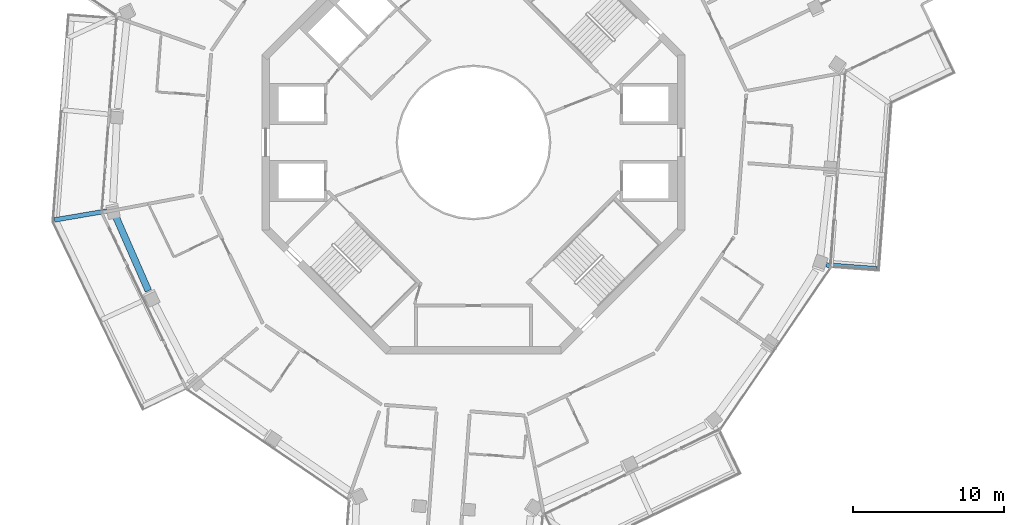
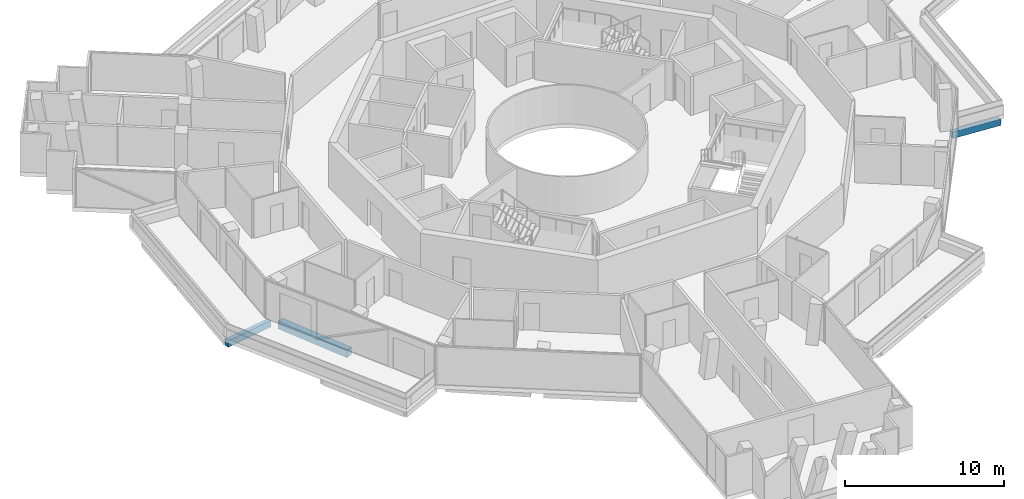
# One storey, part 5 of 23: 3 beams.
"""IFC4 building model written with IfcOpenShell, lengths in metres."""

from ifc_helpers import new_model, si_unit, direction, frame, origin, origin_2d, place, context, subcontext, project, spatial, rectangle, extrude, material, material_profile, profile_set, type_object, element, save


model = new_model("IFC4")

# Units and contexts
model_context = context("Model", 3, precision=1e-05, world=origin(), true_north=direction((0.0, 1.0)))
body_context = subcontext(model_context, "Body", "Model", "MODEL_VIEW")
ifc_project = project(units=[si_unit("LENGTHUNIT", "METRE"), si_unit("AREAUNIT", "SQUARE_METRE"), si_unit("VOLUMEUNIT", "CUBIC_METRE"), si_unit("PLANEANGLEUNIT", "RADIAN"), si_unit("MASSUNIT", "GRAM", prefix="KILO")], contexts=[model_context])

# Site, building, storey
site_placement = place(None, origin())
site = spatial("IfcSite", under=ifc_project, at=site_placement, CompositionType="ELEMENT")
building_placement = place(site_placement, origin())
building = spatial("IfcBuilding", under=site, at=building_placement, Name="Verdalira Terraces Hotel", CompositionType="ELEMENT")
storey_placement = place(building_placement, frame((0.0, 0.0, 259.5)))
storey = spatial("IfcBuildingStorey", under=building, at=storey_placement, Name="L64", CompositionType="ELEMENT", Elevation=259.5)

# Beams
ifc_material_1 = material(Name="Concrete C40", Category="concrete")
ifc_material_profile_1 = material_profile(ifc_material_1, rectangle(XDim=0.300049, YDim=0.5, at=origin_2d()), Name="RC 300X500")
ifc_profile_set_1 = profile_set([ifc_material_profile_1], Name="Concrete C40")
beam_type_1 = type_object("IfcBeamType", Name="Balcony cantilever beam RC 300X500 C40", PredefinedType="BEAM", material=ifc_profile_set_1)
beam_1_placement = place(storey_placement, frame((-24.265869, -4.532715, -0.560059), z_axis=(-0.985632501, -0.168904033, 0.0), x_axis=(0.168904033, -0.985632501, 0.0)))
element("IfcBeam", 1, at=beam_1_placement, inside=storey, type_object=beam_type_1, Name="Balcony cantilever beam R11-5", PredefinedType="BEAM", context=body_context, shape_type="SweptSolid", body=[
    extrude(rectangle(XDim=0.300049, YDim=0.5, at=origin_2d()), origin(), (0.0, 0.0, 1.0), 3.513916),
])
beam_2_placement = place(storey_placement, frame((23.320801, -8.100098, -0.560059), z_axis=(0.997159331, -0.075321104, 0.0), x_axis=(0.075321104, 0.997159331, 0.0)))
element("IfcBeam", 2, at=beam_2_placement, inside=storey, type_object=beam_type_1, Name="Balcony cantilever beam R27-1", PredefinedType="BEAM", context=body_context, shape_type="SweptSolid", body=[
    extrude(rectangle(XDim=0.300049, YDim=0.5, at=origin_2d()), origin(), (0.0, 0.0, 1.0), 3.393555),
])
ifc_material_2 = material(Name="Concrete C40", Category="concrete")
ifc_material_profile_2 = material_profile(ifc_material_2, rectangle(XDim=0.449951, YDim=0.600098, at=origin_2d()), Name="RC 450X600")
ifc_profile_set_2 = profile_set([ifc_material_profile_2], Name="Concrete C40")
beam_type_2 = type_object("IfcBeamType", Name="Spandrel beam RC 450X600 C40", PredefinedType="SPANDREL", material=ifc_profile_set_2)
beam_3_placement = place(storey_placement, frame((-23.683105, -4.874756, -0.610107), z_axis=(0.401793944, -0.915730106, 0.0), x_axis=(0.915730106, 0.401793944, 0.0)))
element("IfcBeam", 3, at=beam_3_placement, inside=storey, type_object=beam_type_2, Name="Spandrel beam B04", PredefinedType="SPANDREL", context=body_context, shape_type="SweptSolid", body=[
    extrude(rectangle(XDim=0.449951, YDim=0.600098, at=origin_2d()), origin(), (0.0, 0.0, 1.0), 5.396973),
])

save(model, "model.ifc")
